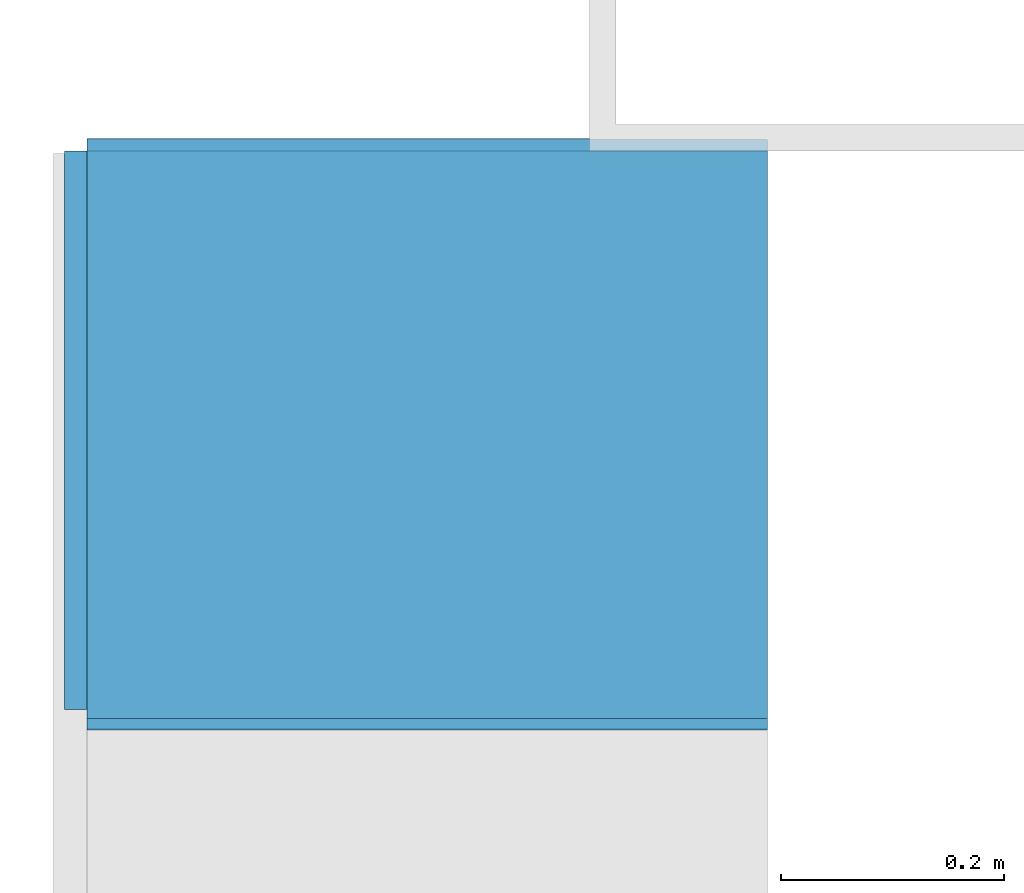
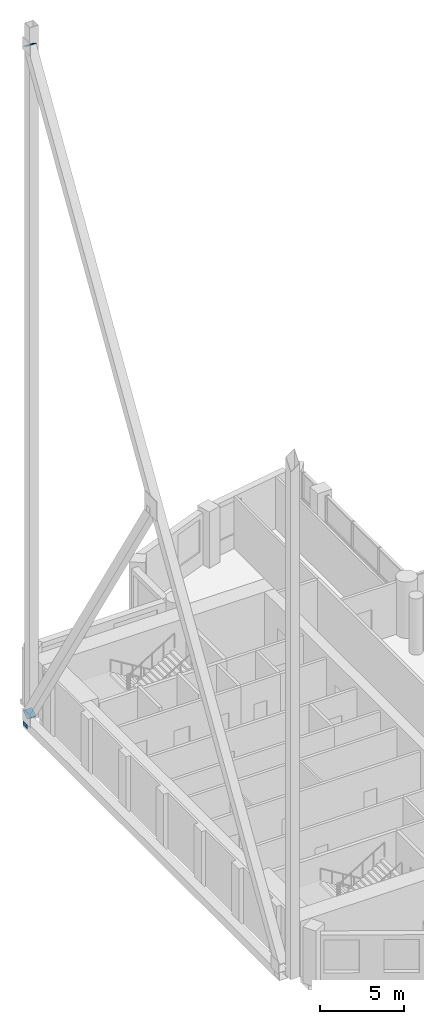
# One storey, part 11 of 18: 3 discrete accessories.
"""IFC4 building model written with IfcOpenShell, lengths in metres."""

from ifc_helpers import new_model, si_unit, direction, frame, origin, origin_2d, place, context, subcontext, project, spatial, rectangle, extrude, material, material_profile, profile_set, type_object, element, save


model = new_model("IFC4")

# Units and contexts
model_context = context("Model", 3, precision=1e-05, world=origin(), true_north=direction((0.0, 1.0)))
body_context = subcontext(model_context, "Body", "Model", "MODEL_VIEW")
ifc_project = project(units=[si_unit("LENGTHUNIT", "METRE"), si_unit("AREAUNIT", "SQUARE_METRE"), si_unit("VOLUMEUNIT", "CUBIC_METRE"), si_unit("PLANEANGLEUNIT", "RADIAN"), si_unit("MASSUNIT", "GRAM", prefix="KILO")], contexts=[model_context])

# Site, building, storey
site_placement = place(None, origin())
site = spatial("IfcSite", under=ifc_project, at=site_placement, CompositionType="ELEMENT")
building_placement = place(site_placement, origin())
building = spatial("IfcBuilding", under=site, at=building_placement, Name="Cypress Arch Tower", CompositionType="ELEMENT")
storey_placement = place(building_placement, frame((0.0, 0.0, 288.5)))
storey = spatial("IfcBuildingStorey", under=building, at=storey_placement, Name="L65", CompositionType="ELEMENT", Elevation=288.5)

# Discrete accessories
ifc_material_1 = material(Name="Steel ASTM A992", Category="steel")
ifc_material_profile_1 = material_profile(ifc_material_1, rectangle(XDim=0.609619140625, YDim=0.609619140625, at=origin_2d()), Name="PL 20 610x610")
ifc_profile_set_1 = profile_set([ifc_material_profile_1], Name="Steel ASTM A992")
discrete_accessory_type_1 = type_object("IfcDiscreteAccessoryType", Name="End cap plate 610x610x20 Steel ASTM A992", PredefinedType="ANCHORPLATE", material=ifc_profile_set_1)
discrete_accessory_1_placement = place(storey_placement, frame((-30.7548828125, 15.036376953125, 49.470703125), z_axis=(0.0, 0.523418105875, 0.852075986308), x_axis=(-1.0, 0.0, 0.0)))
element("IfcDiscreteAccessory", 1, at=discrete_accessory_1_placement, inside=storey, type_object=discrete_accessory_type_1, Name="End cap plate west bracing 6", PredefinedType="ANCHORPLATE", context=body_context, shape_type="SweptSolid", body=[
    extrude(rectangle(XDim=0.609619140625, YDim=0.609619140625, at=origin_2d()), origin(), (0.0, 0.0, 1.0), 0.02001953125),
])
discrete_accessory_2_placement = place(storey_placement, frame((-30.7548828125, 15.036376953125, 0.724365234375), z_axis=(0.0, 0.528892886439, -0.848688585215), x_axis=(-1.0, 0.0, 0.0)))
element("IfcDiscreteAccessory", 2, at=discrete_accessory_2_placement, inside=storey, type_object=discrete_accessory_type_1, Name="End cap plate west bracing 6", PredefinedType="ANCHORPLATE", context=body_context, shape_type="SweptSolid", body=[
    extrude(rectangle(XDim=0.609619140625, YDim=0.609619140625, at=origin_2d()), origin(), (0.0, 0.0, 1.0), 0.019775390625),
])
ifc_material_2 = material(Name="Steel ASTM A992", Category="steel")
ifc_material_profile_2 = material_profile(ifc_material_2, rectangle(XDim=0.5, YDim=0.300048828125, at=origin_2d()), Name="PL 20 500x300")
ifc_profile_set_2 = profile_set([ifc_material_profile_2], Name="Steel ASTM A992")
discrete_accessory_type_2 = type_object("IfcDiscreteAccessoryType", Name="West bracing chord end plate 500x300x20 Steel ASTM A992", PredefinedType="ANCHORPLATE", material=ifc_profile_set_2)
discrete_accessory_3_placement = place(storey_placement, frame((-31.0595703125, 15.045166015625, 0.0), z_axis=(-1.0, 0.0, 0.0), x_axis=(0.0, -1.0, 0.0)))
element("IfcDiscreteAccessory", 3, at=discrete_accessory_3_placement, inside=storey, type_object=discrete_accessory_type_2, Name="End plate west bracing chord 6N", PredefinedType="ANCHORPLATE", context=body_context, shape_type="SweptSolid", body=[
    extrude(rectangle(XDim=0.5, YDim=0.300048828125, at=origin_2d()), origin(), (0.0, 0.0, 1.0), 0.02001953125),
])

save(model, "model.ifc")
